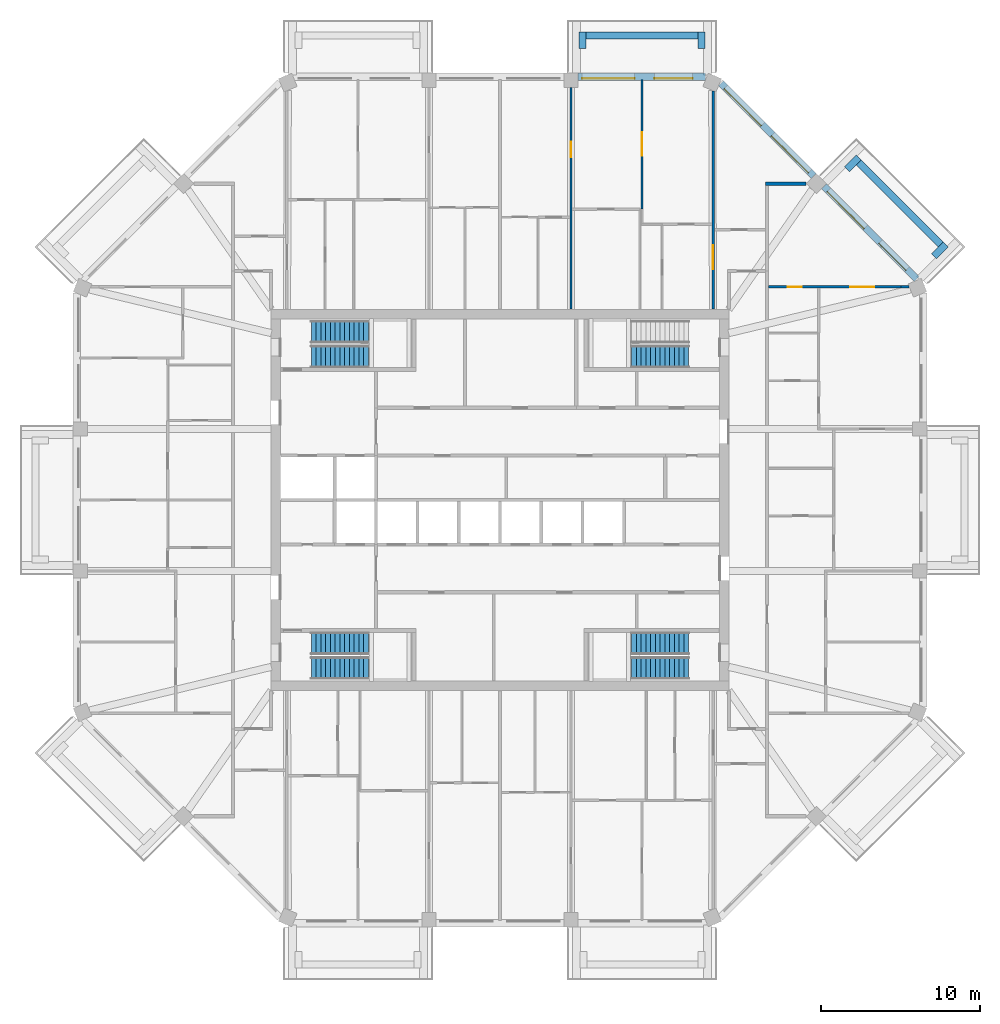
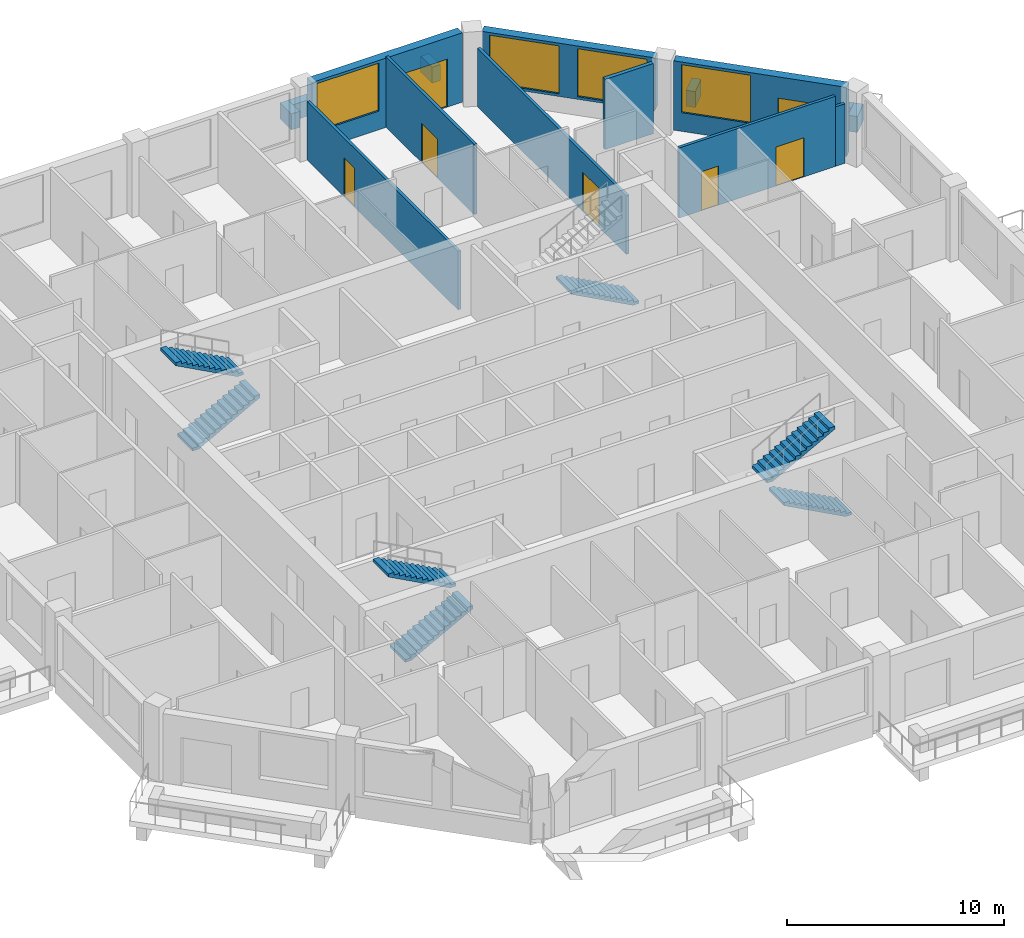
# One storey, part 10 of 13: 15 walls, 7 doors, 7 stair flights, 4 windows, 11 openings, 4 elements without a shape of their own.
"""IFC4 building model written with IfcOpenShell, lengths in metres."""

from ifc_helpers import new_model, si_unit, direction, frame, frame_2d, origin, place, context, subcontext, project, spatial, polyline, rectangle, outline, extrude, material, layer, layer_set, type_object, element, fill, aggregate, save


model = new_model("IFC4")

# Units and contexts
model_context = context("Model", 3, precision=1e-05, world=origin(), true_north=direction((0.0, 1.0)))
body_context = subcontext(model_context, "Body", "Model", "MODEL_VIEW")
ifc_project = project(units=[si_unit("LENGTHUNIT", "METRE"), si_unit("AREAUNIT", "SQUARE_METRE"), si_unit("VOLUMEUNIT", "CUBIC_METRE"), si_unit("PLANEANGLEUNIT", "RADIAN"), si_unit("MASSUNIT", "GRAM", prefix="KILO")], contexts=[model_context])

# Site, building, storey
site_placement = place(None, origin())
site = spatial("IfcSite", under=ifc_project, at=site_placement, CompositionType="ELEMENT")
building_placement = place(site_placement, origin())
building = spatial("IfcBuilding", under=site, at=building_placement, Name="Msitu Wima Residences", CompositionType="ELEMENT")
storey_placement = place(building_placement, frame((0.0, 0.0, 281.10009765625)))
storey = spatial("IfcBuildingStorey", under=building, at=storey_placement, Name="L65", CompositionType="ELEMENT", Elevation=281.10009765625)

# Walls
ifc_material_1 = material(Name="Facing brick")
ifc_layer_1 = layer(ifc_material_1, 0.06494140625, Name="Facing brick")
ifc_material_2 = material(Name="Concrete C40/50", Category="concrete")
ifc_layer_2 = layer(ifc_material_2, 0.156005859375, Name="Concrete C40/50")
ifc_material_3 = material(Name="Waterproofing membrane")
ifc_layer_3 = layer(ifc_material_3, 0.00390625, Name="Waterproofing membrane")
ifc_material_4 = material(Name="Planting soil and planting")
ifc_layer_4 = layer(ifc_material_4, 0.22509765625, Name="Planting soil and planting")
ifc_layer_set_1 = layer_set([ifc_layer_1, ifc_layer_2, ifc_layer_3, ifc_layer_4], Name="Concrete C40/50")
wall_type_1 = type_object("IfcWallType", Name="Balcony planter PLANTER PL450", PredefinedType="USERDEFINED", material=ifc_layer_set_1)
wall_1_placement = place(storey_placement, frame((27.725830078125, 16.0751953125, 0.0), z_axis=(0.0, 0.0, 1.0), x_axis=(-0.707106781187, 0.707106781187, 0.0)))
element("IfcWall", 1, at=wall_1_placement, inside=storey, type_object=wall_type_1, Name="Balcony planter NE0 L65", ObjectType="PLANTER", PredefinedType="USERDEFINED", context=body_context, shape_type="SweptSolid", body=[
    extrude(rectangle(XDim=7.288330078125, YDim=0.449951171875, at=frame_2d((3.64404296875, 0.0))), origin(), (0.0, 0.0, 1.0), 0.89990234375),
])
for number, where, z_axis, x_axis, name in (
    (2, (27.301513671875, 15.332763671875, 0.0), (0.0, 0.0, 1.0), (0.707106781187, 0.707106781187, 0.0), "Balcony planter NE0 L65"),
    (3, (21.829833984375, 20.804443359375, 0.0), (0.0, 0.0, 1.0), (0.707106781187, 0.707106781187, 0.0), "Balcony planter NE0 L65"),
):
    element("IfcWall", number, at=place(storey_placement, frame(where, z_axis=z_axis, x_axis=x_axis)), inside=storey, type_object=wall_type_1, Name=name, ObjectType="PLANTER", PredefinedType="USERDEFINED", context=body_context, shape_type="SweptSolid", body=[
        extrude(rectangle(XDim=1.050048828125, YDim=0.449951171875, at=frame_2d((0.52490234375, 0.0))), origin(), (0.0, 0.0, 1.0), 0.89990234375),
    ])
wall_2_placement = place(storey_placement, frame((12.455810546875, 29.22509765625, 0.0), z_axis=(0.0, 0.0, 1.0), x_axis=(-1.0, 0.0, 0.0)))
element("IfcWall", 4, at=wall_2_placement, inside=storey, type_object=wall_type_1, Name="Balcony planter N0 L65", ObjectType="PLANTER", PredefinedType="USERDEFINED", context=body_context, shape_type="SweptSolid", body=[
    extrude(rectangle(XDim=7.037109375, YDim=0.449951171875, at=frame_2d((3.5185546875, 0.0))), origin(), (0.0, 0.0, 1.0), 0.89990234375),
])
for number, where, z_axis, x_axis, name in (
    (5, (12.680908203125, 28.39990234375, 0.0), (0.0, 0.0, 1.0), (0.0, 1.0, 0.0), "Balcony planter N0 L65"),
    (6, (5.193603515625, 28.39990234375, 0.0), (0.0, 0.0, 1.0), (0.0, 1.0, 0.0), "Balcony planter N0 L65"),
):
    element("IfcWall", number, at=place(storey_placement, frame(where, z_axis=z_axis, x_axis=x_axis)), inside=storey, type_object=wall_type_1, Name=name, ObjectType="PLANTER", PredefinedType="USERDEFINED", context=body_context, shape_type="SweptSolid", body=[
        extrude(rectangle(XDim=1.050048828125, YDim=0.449951171875, at=frame_2d((0.52490234375, 0.0))), origin(), (0.0, 0.0, 1.0), 0.89990234375),
    ])

# Wall, openings, door, window
ifc_material_5 = material(Name="Brick (red buff mix)", Category="masonry")
ifc_layer_5 = layer(ifc_material_5, 0.449951171875)
ifc_layer_set_2 = layer_set([ifc_layer_5], Name="Brick (red buff mix)")
wall_type_2 = type_object("IfcWallType", Name="Brick infill wall BW450", PredefinedType="SOLIDWALL", material=ifc_layer_set_2)
wall_3_placement = place(storey_placement, frame((26.214599609375, 13.909423828125, 0.0), z_axis=(0.0, 0.0, 1.0), x_axis=(-0.707106781187, 0.707106781187, 0.0)))
wall_3 = element("IfcWall", 7, at=wall_3_placement, inside=storey, type_object=wall_type_2, Name="Brick infill wall L65 NE0", PredefinedType="SOLIDWALL", context=body_context, shape_type="SweptSolid", body=[
    extrude(rectangle(XDim=8.251220703125, YDim=0.449951171875, at=frame_2d((4.12548828125, 0.0))), origin(), (0.0, 0.0, 1.0), 3.89990234375),
])
opening_1_placement = place(wall_3_placement, frame((0.86279296875, 0.0, 0.0)))
opening_1 = element("IfcOpeningElement", 8, at=opening_1_placement, cuts=wall_3, Name="Opening D65-67.004", PredefinedType="OPENING", context=body_context, shape_type="SweptSolid", body=[
    extrude(rectangle(XDim=2.39990234375, YDim=2.699951171875, at=frame_2d((1.199951171875, 1.35009765625))), frame((0.0, 0.23486328125, 0.0), z_axis=(0.0, -1.0, 0.0), x_axis=(1.0, 0.0, 0.0)), (0.0, 0.0, 1.0), 0.469970703125),
])
opening_2_placement = place(wall_3_placement, frame((4.57568359375, 0.0, 1.050048828125)))
opening_2 = element("IfcOpeningElement", 9, at=opening_2_placement, cuts=wall_3, Name="Opening W65-67.010", PredefinedType="OPENING", context=body_context, shape_type="SweptSolid", body=[
    extrude(rectangle(XDim=3.300048828125, YDim=2.699951171875, at=frame_2d((1.64990234375, 1.35009765625))), frame((0.0, 0.23486328125, 0.0), z_axis=(0.0, -1.0, 0.0), x_axis=(1.0, 0.0, 0.0)), (0.0, 0.0, 1.0), 0.469970703125),
])
ifc_material_6 = material(Name="Anodised aluminium, bronze finish, clear low-emissivity double glazing", Category="aluminium")
door_type_1 = type_object("IfcDoorType", Name="Balcony door D2400x2700", OperationType="SLIDING_TO_LEFT", PredefinedType="DOOR", material=ifc_material_6)
door_1_placement = place(opening_1_placement, origin())
door_1 = element("IfcDoor", 10, at=door_1_placement, inside=storey, type_object=door_type_1, Name="Balcony door L65 NE0", OperationType="SINGLE_SWING_LEFT", OverallHeight=2.699951171875, OverallWidth=2.39990234375, PredefinedType="DOOR", context=body_context, shape_type="SweptSolid", body=[
    extrude(rectangle(XDim=2.39990234375, YDim=2.699951171875, at=frame_2d((1.199951171875, 1.35009765625))), frame((0.0, 0.1298828125, 0.0), z_axis=(0.0, -1.0, 0.0), x_axis=(1.0, 0.0, 0.0)), (0.0, 0.0, 1.0), 0.050048828125),
])
fill(opening_1, door_1)
window_type = type_object("IfcWindowType", Name="Window W3300x2700", PartitioningType="DOUBLE_PANEL_VERTICAL", PredefinedType="WINDOW", material=ifc_material_6)
window_1_placement = place(opening_2_placement, origin())
window_1 = element("IfcWindow", 11, at=window_1_placement, inside=storey, type_object=window_type, Name="Window L65 NE0.2", OverallHeight=2.699951171875, OverallWidth=3.300048828125, PartitioningType="SINGLE_PANEL", PredefinedType="WINDOW", context=body_context, shape_type="SweptSolid", body=[
    extrude(rectangle(XDim=3.300048828125, YDim=2.699951171875, at=frame_2d((1.64990234375, 1.35009765625))), frame((0.0, 0.135009765625, 0.0), z_axis=(0.0, -1.0, 0.0), x_axis=(1.0, 0.0, 0.0)), (0.0, 0.0, 1.0), 0.06005859375),
])
fill(opening_2, window_1)

# Wall, openings, windows
wall_4_placement = place(storey_placement, frame((19.743896484375, 20.380126953125, 0.89990234375), z_axis=(0.0, 0.0, 1.0), x_axis=(-0.707106781187, 0.707106781187, 0.0)))
wall_4 = element("IfcWall", 12, at=wall_4_placement, inside=storey, type_object=wall_type_2, Name="Brick infill wall L65 NE1", PredefinedType="SOLIDWALL", context=body_context, shape_type="SweptSolid", body=[
    extrude(rectangle(XDim=8.251220703125, YDim=0.449951171875, at=frame_2d((4.12548828125, 0.0))), origin(), (0.0, 0.0, 1.0), 3.0),
])
opening_3_placement = place(wall_4_placement, frame((0.37548828125, 0.0, 0.14990234375)))
opening_3 = element("IfcOpeningElement", 13, at=opening_3_placement, cuts=wall_4, Name="Opening W65-67.011", PredefinedType="OPENING", context=body_context, shape_type="SweptSolid", body=[
    extrude(rectangle(XDim=3.300048828125, YDim=2.699951171875, at=frame_2d((1.64990234375, 1.35009765625))), frame((0.0, 0.23486328125, 0.0), z_axis=(0.0, -1.0, 0.0), x_axis=(1.0, 0.0, 0.0)), (0.0, 0.0, 1.0), 0.469970703125),
])
opening_4_placement = place(wall_4_placement, frame((4.57568359375, 0.0, 0.14990234375)))
opening_4 = element("IfcOpeningElement", 14, at=opening_4_placement, cuts=wall_4, Name="Opening W65-67.012", PredefinedType="OPENING", context=body_context, shape_type="SweptSolid", body=[
    extrude(rectangle(XDim=3.300048828125, YDim=2.699951171875, at=frame_2d((1.64990234375, 1.35009765625))), frame((0.0, 0.23486328125, 0.0), z_axis=(0.0, -1.0, 0.0), x_axis=(1.0, 0.0, 0.0)), (0.0, 0.0, 1.0), 0.469970703125),
])
window_2_placement = place(opening_3_placement, origin())
window_2 = element("IfcWindow", 15, at=window_2_placement, inside=storey, type_object=window_type, Name="Window L65 NE1.1", OverallHeight=2.699951171875, OverallWidth=3.300048828125, PartitioningType="SINGLE_PANEL", PredefinedType="WINDOW", context=body_context, shape_type="SweptSolid", body=[
    extrude(rectangle(XDim=3.300048828125, YDim=2.699951171875, at=frame_2d((1.64990234375, 1.35009765625))), frame((0.0, 0.135009765625, 0.0), z_axis=(0.0, -1.0, 0.0), x_axis=(1.0, 0.0, 0.0)), (0.0, 0.0, 1.0), 0.06005859375),
])
fill(opening_3, window_2)
window_3_placement = place(opening_4_placement, origin())
window_3 = element("IfcWindow", 16, at=window_3_placement, inside=storey, type_object=window_type, Name="Window L65 NE1.2", OverallHeight=2.699951171875, OverallWidth=3.300048828125, PartitioningType="SINGLE_PANEL", PredefinedType="WINDOW", context=body_context, shape_type="SweptSolid", body=[
    extrude(rectangle(XDim=3.300048828125, YDim=2.699951171875, at=frame_2d((1.64990234375, 1.35009765625))), frame((0.0, 0.135009765625, 0.0), z_axis=(0.0, -1.0, 0.0), x_axis=(1.0, 0.0, 0.0)), (0.0, 0.0, 1.0), 0.06005859375),
])
fill(opening_4, window_3)

# Wall, openings, door, window
wall_5_placement = place(storey_placement, frame((12.918701171875, 26.625, 0.0), z_axis=(0.0, 0.0, 1.0), x_axis=(-1.0, 0.0, 0.0)))
wall_5 = element("IfcWall", 17, at=wall_5_placement, inside=storey, type_object=wall_type_2, Name="Brick infill wall L65 N0", PredefinedType="SOLIDWALL", context=body_context, shape_type="SweptSolid", body=[
    extrude(rectangle(XDim=8.0, YDim=0.449951171875, at=frame_2d((4.0, 0.0))), origin(), (0.0, 0.0, 1.0), 3.89990234375),
])
opening_5_placement = place(wall_5_placement, frame((0.800048828125, 0.0, 0.0)))
opening_5 = element("IfcOpeningElement", 18, at=opening_5_placement, cuts=wall_5, Name="Opening D65-67.002", PredefinedType="OPENING", context=body_context, shape_type="SweptSolid", body=[
    extrude(rectangle(XDim=2.39990234375, YDim=2.699951171875, at=frame_2d((1.199951171875, 1.35009765625))), frame((0.0, 0.23486328125, 0.0), z_axis=(0.0, -1.0, 0.0), x_axis=(1.0, 0.0, 0.0)), (0.0, 0.0, 1.0), 0.469970703125),
])
opening_6_placement = place(wall_5_placement, frame((4.4501953125, 0.0, 1.050048828125)))
opening_6 = element("IfcOpeningElement", 19, at=opening_6_placement, cuts=wall_5, Name="Opening W65-67.006", PredefinedType="OPENING", context=body_context, shape_type="SweptSolid", body=[
    extrude(rectangle(XDim=3.300048828125, YDim=2.699951171875, at=frame_2d((1.64990234375, 1.35009765625))), frame((0.0, 0.23486328125, 0.0), z_axis=(0.0, -1.0, 0.0), x_axis=(1.0, 0.0, 0.0)), (0.0, 0.0, 1.0), 0.469970703125),
])
door_2_placement = place(opening_5_placement, origin())
door_2 = element("IfcDoor", 20, at=door_2_placement, inside=storey, type_object=door_type_1, Name="Balcony door L65 N0", OperationType="SINGLE_SWING_LEFT", OverallHeight=2.699951171875, OverallWidth=2.39990234375, PredefinedType="DOOR", context=body_context, shape_type="SweptSolid", body=[
    extrude(rectangle(XDim=2.39990234375, YDim=2.699951171875, at=frame_2d((1.199951171875, 1.35009765625))), frame((0.0, 0.1298828125, 0.0), z_axis=(0.0, -1.0, 0.0), x_axis=(1.0, 0.0, 0.0)), (0.0, 0.0, 1.0), 0.050048828125),
])
fill(opening_5, door_2)
window_4_placement = place(opening_6_placement, origin())
window_4 = element("IfcWindow", 21, at=window_4_placement, inside=storey, type_object=window_type, Name="Window L65 N0.2", OverallHeight=2.699951171875, OverallWidth=3.300048828125, PartitioningType="SINGLE_PANEL", PredefinedType="WINDOW", context=body_context, shape_type="SweptSolid", body=[
    extrude(rectangle(XDim=3.300048828125, YDim=2.699951171875, at=frame_2d((1.64990234375, 1.35009765625))), frame((0.0, 0.135009765625, 0.0), z_axis=(0.0, -1.0, 0.0), x_axis=(1.0, 0.0, 0.0)), (0.0, 0.0, 1.0), 0.06005859375),
])
fill(opening_6, window_4)

# Wall, opening, door
ifc_material_7 = material(Name="Plaster")
ifc_layer_6 = layer(ifc_material_7, 0.011962890625, Name="Plaster")
ifc_material_8 = material(Name="Concrete blockwork", Category="masonry")
ifc_layer_7 = layer(ifc_material_8, 0.1259765625, Name="Concrete blockwork")
ifc_layer_8 = layer(ifc_material_7, 0.011962890625, Name="Plaster")
ifc_layer_set_3 = layer_set([ifc_layer_6, ifc_layer_7, ifc_layer_8], Name="Concrete blockwork")
wall_type_3 = type_object("IfcWallType", Name="Partition PW150", PredefinedType="PARTITIONING", material=ifc_layer_set_3)
wall_6_placement = place(storey_placement, frame((4.46875, 12.030029296875, 0.0), z_axis=(0.0, 0.0, 1.0), x_axis=(0.0, 1.0, 0.0)))
wall_6 = element("IfcWall", 22, at=wall_6_placement, inside=storey, type_object=wall_type_3, Name="Partition", PredefinedType="PARTITIONING", context=body_context, shape_type="SweptSolid", body=[
    extrude(rectangle(XDim=13.919921875, YDim=0.14990234375, at=frame_2d((6.9599609375, 0.0))), origin(), (0.0, 0.0, 1.0), 3.2998046875),
])
opening_7_placement = place(wall_6_placement, frame((9.550048828125, 0.0, 0.0)))
opening_7 = element("IfcOpeningElement", 23, at=opening_7_placement, cuts=wall_6, Name="Opening D65-67.029", PredefinedType="OPENING", context=body_context, shape_type="SweptSolid", body=[
    extrude(rectangle(XDim=0.949951171875, YDim=2.199951171875, at=frame_2d((0.47509765625, 1.10009765625))), frame((0.0, 0.0849609375, 0.0), z_axis=(0.0, -1.0, 0.0), x_axis=(1.0, 0.0, 0.0)), (0.0, 0.0, 1.0), 0.169921875),
])
ifc_material_9 = material(Name="Timber flush door", Category="wood")
door_type_2 = type_object("IfcDoorType", Name="Room door D12 950x2200", OperationType="SINGLE_SWING_LEFT", PredefinedType="DOOR", material=ifc_material_9)
door_3_placement = place(opening_7_placement, origin())
door_3 = element("IfcDoor", 24, at=door_3_placement, inside=storey, type_object=door_type_2, Name="Room door", OperationType="SINGLE_SWING_RIGHT", OverallHeight=2.199951171875, OverallWidth=0.949951171875, PredefinedType="DOOR", context=body_context, shape_type="SweptSolid", body=[
    extrude(rectangle(XDim=0.949951171875, YDim=2.199951171875, at=frame_2d((0.47509765625, 1.10009765625))), frame((0.0, 0.02490234375, 0.0), z_axis=(0.0, -1.0, 0.0), x_axis=(1.0, 0.0, 0.0)), (0.0, 0.0, 1.0), 0.050048828125),
])
fill(opening_7, door_3)

wall_7_placement = place(storey_placement, frame((8.937255859375, 18.300048828125, 0.0), z_axis=(0.0, 0.0, 1.0), x_axis=(0.0, 1.0, 0.0)))
wall_7 = element("IfcWall", 25, at=wall_7_placement, inside=storey, type_object=wall_type_3, Name="Partition", PredefinedType="PARTITIONING", context=body_context, shape_type="SweptSolid", body=[
    extrude(rectangle(XDim=8.155029296875, YDim=0.14990234375, at=frame_2d((4.07763671875, 0.0))), origin(), (0.0, 0.0, 1.0), 3.949951171875),
])
opening_8_placement = place(wall_7_placement, frame((3.35009765625, 0.0, 0.0)))
opening_8 = element("IfcOpeningElement", 26, at=opening_8_placement, cuts=wall_7, Name="Opening D65-67.027", PredefinedType="OPENING", context=body_context, shape_type="SweptSolid", body=[
    extrude(rectangle(XDim=1.5, YDim=2.199951171875, at=frame_2d((0.75, 1.10009765625))), frame((0.0, 0.0849609375, 0.0), z_axis=(0.0, -1.0, 0.0), x_axis=(1.0, 0.0, 0.0)), (0.0, 0.0, 1.0), 0.169921875),
])
ifc_material_10 = material(Name="Timber double door", Category="wood")
door_type_3 = type_object("IfcDoorType", Name="Double door D04 1500x2200", OperationType="DOUBLE_DOOR_SINGLE_SWING", PredefinedType="DOOR", material=ifc_material_10)
door_4_placement = place(opening_8_placement, origin())
door_4 = element("IfcDoor", 27, at=door_4_placement, inside=storey, type_object=door_type_3, Name="Double door", OperationType="DOUBLE_DOOR_SINGLE_SWING", OverallHeight=2.199951171875, OverallWidth=1.5, PredefinedType="DOOR", context=body_context, shape_type="SweptSolid", body=[
    extrude(rectangle(XDim=1.5, YDim=2.199951171875, at=frame_2d((0.75, 1.10009765625))), frame((0.0, 0.02490234375, 0.0), z_axis=(0.0, -1.0, 0.0), x_axis=(1.0, 0.0, 0.0)), (0.0, 0.0, 1.0), 0.050048828125),
])
fill(opening_8, door_4)

wall_8_placement = place(storey_placement, frame((13.406005859375, 12.030029296875, 0.0), z_axis=(0.0, 0.0, 1.0), x_axis=(0.0, 1.0, 0.0)))
wall_8 = element("IfcWall", 28, at=wall_8_placement, inside=storey, type_object=wall_type_3, Name="Partition", PredefinedType="PARTITIONING", context=body_context, shape_type="SweptSolid", body=[
    extrude(rectangle(XDim=13.701171875, YDim=0.14990234375, at=frame_2d((6.8505859375, 0.0))), origin(), (0.0, 0.0, 1.0), 3.2998046875),
])
opening_9_placement = place(wall_8_placement, frame((2.5, 0.0, 0.0)))
opening_9 = element("IfcOpeningElement", 29, at=opening_9_placement, cuts=wall_8, Name="Opening D65-67.023", PredefinedType="OPENING", context=body_context, shape_type="SweptSolid", body=[
    extrude(rectangle(XDim=1.5, YDim=2.199951171875, at=frame_2d((0.75, 1.10009765625))), frame((0.0, 0.0849609375, 0.0), z_axis=(0.0, -1.0, 0.0), x_axis=(1.0, 0.0, 0.0)), (0.0, 0.0, 1.0), 0.169921875),
])
door_5_placement = place(opening_9_placement, origin())
door_5 = element("IfcDoor", 30, at=door_5_placement, inside=storey, type_object=door_type_3, Name="Double door", OperationType="DOUBLE_DOOR_SINGLE_SWING", OverallHeight=2.199951171875, OverallWidth=1.5, PredefinedType="DOOR", context=body_context, shape_type="SweptSolid", body=[
    extrude(rectangle(XDim=1.5, YDim=2.199951171875, at=frame_2d((0.75, 1.10009765625))), frame((0.0, 0.02490234375, 0.0), z_axis=(0.0, -1.0, 0.0), x_axis=(1.0, 0.0, 0.0)), (0.0, 0.0, 1.0), 0.050048828125),
])
fill(opening_9, door_5)

# Wall, openings, doors
wall_9_placement = place(storey_placement, frame((16.89990234375, 13.406005859375, 0.0), z_axis=(0.0, 0.0, 1.0), x_axis=(1.0, 0.0, 0.0)))
wall_9 = element("IfcWall", 31, at=wall_9_placement, inside=storey, type_object=wall_type_3, Name="Partition", PredefinedType="PARTITIONING", context=body_context, shape_type="SweptSolid", body=[
    extrude(rectangle(XDim=8.32421875, YDim=0.14990234375, at=frame_2d((4.162109375, 0.0))), origin(), (0.0, 0.0, 1.0), 3.949951171875),
])
opening_10_placement = place(wall_9_placement, frame((5.14990234375, 0.0, 0.0)))
opening_10 = element("IfcOpeningElement", 32, at=opening_10_placement, cuts=wall_9, Name="Opening D65-67.019", PredefinedType="OPENING", context=body_context, shape_type="SweptSolid", body=[
    extrude(rectangle(XDim=1.5, YDim=2.199951171875, at=frame_2d((0.75, 1.10009765625))), frame((0.0, 0.0849609375, 0.0), z_axis=(0.0, -1.0, 0.0), x_axis=(1.0, 0.0, 0.0)), (0.0, 0.0, 1.0), 0.169921875),
])
opening_11_placement = place(wall_9_placement, frame((1.199951171875, 0.0, 0.0)))
opening_11 = element("IfcOpeningElement", 33, at=opening_11_placement, cuts=wall_9, Name="Opening D65-67.013", PredefinedType="OPENING", context=body_context, shape_type="SweptSolid", body=[
    extrude(rectangle(XDim=0.89990234375, YDim=2.199951171875, at=frame_2d((0.449951171875, 1.10009765625))), frame((0.0, 0.0849609375, 0.0), z_axis=(0.0, -1.0, 0.0), x_axis=(1.0, 0.0, 0.0)), (0.0, 0.0, 1.0), 0.169921875),
])
door_6_placement = place(opening_10_placement, origin())
door_6 = element("IfcDoor", 34, at=door_6_placement, inside=storey, type_object=door_type_3, Name="Double door", OperationType="DOUBLE_DOOR_SINGLE_SWING", OverallHeight=2.199951171875, OverallWidth=1.5, PredefinedType="DOOR", context=body_context, shape_type="SweptSolid", body=[
    extrude(rectangle(XDim=1.5, YDim=2.199951171875, at=frame_2d((0.75, 1.10009765625))), frame((0.0, 0.02490234375, 0.0), z_axis=(0.0, -1.0, 0.0), x_axis=(1.0, 0.0, 0.0)), (0.0, 0.0, 1.0), 0.050048828125),
])
fill(opening_10, door_6)
door_type_4 = type_object("IfcDoorType", Name="Service door D05 900x2200", OperationType="SINGLE_SWING_LEFT", PredefinedType="DOOR", material=ifc_material_9)
door_7_placement = place(opening_11_placement, origin())
door_7 = element("IfcDoor", 35, at=door_7_placement, inside=storey, type_object=door_type_4, Name="Service door", OperationType="SINGLE_SWING_LEFT", OverallHeight=2.199951171875, OverallWidth=0.89990234375, PredefinedType="DOOR", context=body_context, shape_type="SweptSolid", body=[
    extrude(rectangle(XDim=0.89990234375, YDim=2.199951171875, at=frame_2d((0.449951171875, 1.10009765625))), frame((0.0, 0.02490234375, 0.0), z_axis=(0.0, -1.0, 0.0), x_axis=(1.0, 0.0, 0.0)), (0.0, 0.0, 1.0), 0.050048828125),
])
fill(opening_11, door_7)

# Walls
wall_10_placement = place(storey_placement, frame((25.22412109375, 13.406005859375, 0.0), z_axis=(0.0, 0.0, 1.0), x_axis=(1.0, 0.0, 0.0)))
element("IfcWall", 36, at=wall_10_placement, inside=storey, type_object=wall_type_3, Name="Partition", PredefinedType="PARTITIONING", context=body_context, shape_type="SweptSolid", body=[
    extrude(rectangle(XDim=0.507080078125, YDim=0.14990234375, at=frame_2d((0.25341796875, 0.0))), origin(), (0.0, 0.0, 1.0), 3.349853515625),
])
ifc_layer_9 = layer(ifc_material_7, 0.011962890625, Name="Plaster")
ifc_material_11 = material(Name="Dense concrete blockwork", Category="masonry")
ifc_layer_10 = layer(ifc_material_11, 0.176025390625, Name="Dense concrete blockwork")
ifc_layer_11 = layer(ifc_material_7, 0.011962890625, Name="Plaster")
ifc_layer_set_4 = layer_set([ifc_layer_9, ifc_layer_10, ifc_layer_11], Name="Dense concrete blockwork")
wall_type_4 = type_object("IfcWallType", Name="Party wall PW200", PredefinedType="PARTITIONING", material=ifc_layer_set_4)
wall_11_placement = place(storey_placement, frame((16.699951171875, 19.90283203125, 0.0), z_axis=(0.0, 0.0, 1.0), x_axis=(1.0, 0.0, 0.0)))
element("IfcWall", 37, at=wall_11_placement, inside=storey, type_object=wall_type_4, Name="Party wall", PredefinedType="PARTITIONING", context=body_context, shape_type="SweptSolid", body=[
    extrude(rectangle(XDim=2.566650390625, YDim=0.199951171875, at=frame_2d((1.283203125, 0.0))), origin(), (0.0, 0.0, 1.0), 3.949951171875),
])

# Stair, stair flights
stair_type = type_object("IfcStairType", Name="Exit stair ES1615-140", PredefinedType="HALF_TURN_STAIR", material=ifc_material_2)
stair_1_placement = place(storey_placement, origin())
stair_1 = element("IfcStair", 38, at=stair_1_placement, inside=storey, type_object=stair_type, Name="Exit stair 1", PredefinedType="HALF_TURN_STAIR")
stair_flight_type = type_object("IfcStairFlightType", Name="Exit stair flight ES1615-140", PredefinedType="STRAIGHT", material=ifc_material_2)
stair_flight_1_placement = place(storey_placement, frame((-11.875, 9.02490234375, 0.0), z_axis=(0.0, 0.0, 1.0), x_axis=(1.0, 0.0, 0.0)))
stair_flight_1 = element("IfcStairFlight", 39, at=stair_flight_1_placement, type_object=stair_flight_type, Name="S1 flight 1", NumberOfRisers=13, NumberOfTreads=12, PredefinedType="STRAIGHT", RiserHeight=0.161538462, TreadLength=0.3, context=body_context, shape_type="SweptSolid", body=[
    extrude(outline(polyline([(0.0, 0.0), (0.0, 0.16162109375), (0.300048828125, 0.16162109375), (0.300048828125, 0.322998046875), (0.60009765625, 0.322998046875), (0.60009765625, 0.484619140625), (0.89990234375, 0.484619140625), (0.89990234375, 0.646240234375), (1.199951171875, 0.646240234375), (1.199951171875, 0.8076171875), (1.5, 0.8076171875), (1.5, 0.96923828125), (1.800048828125, 0.96923828125), (1.800048828125, 1.130859375), (2.10009765625, 1.130859375), (2.10009765625, 1.292236328125), (2.39990234375, 1.292236328125), (2.39990234375, 1.453857421875), (2.699951171875, 1.453857421875), (2.699951171875, 1.615478515625), (3.0, 1.615478515625), (3.0, 1.77685546875), (3.300048828125, 1.77685546875), (3.300048828125, 1.9384765625), (3.60009765625, 1.9384765625), (3.60009765625, 2.10009765625), (3.60009765625, 1.768310546875), (0.316162109375, 0.0), (0.0, 0.0)])), frame((0.0, 0.699951171875, 0.0), z_axis=(0.0, -1.0, 0.0), x_axis=(1.0, 0.0, 0.0)), (0.0, 0.0, 1.0), 1.39990234375),
])
stair_flight_2_placement = place(storey_placement, frame((-8.27490234375, 10.574951171875, 2.099853515625), z_axis=(0.0, 0.0, 1.0), x_axis=(-1.0, 0.0, 0.0)))
stair_flight_2 = element("IfcStairFlight", 40, at=stair_flight_2_placement, type_object=stair_flight_type, Name="S1 flight 2", NumberOfRisers=13, NumberOfTreads=12, PredefinedType="STRAIGHT", RiserHeight=0.161538462, TreadLength=0.3, context=body_context, shape_type="SweptSolid", body=[
    extrude(outline(polyline([(0.0, 0.0), (0.0, 0.16162109375), (0.300048828125, 0.16162109375), (0.300048828125, 0.322998046875), (0.60009765625, 0.322998046875), (0.60009765625, 0.484619140625), (0.89990234375, 0.484619140625), (0.89990234375, 0.646240234375), (1.199951171875, 0.646240234375), (1.199951171875, 0.8076171875), (1.5, 0.8076171875), (1.5, 0.96923828125), (1.800048828125, 0.96923828125), (1.800048828125, 1.130859375), (2.10009765625, 1.130859375), (2.10009765625, 1.292236328125), (2.39990234375, 1.292236328125), (2.39990234375, 1.453857421875), (2.699951171875, 1.453857421875), (2.699951171875, 1.615478515625), (3.0, 1.615478515625), (3.0, 1.77685546875), (3.300048828125, 1.77685546875), (3.300048828125, 1.9384765625), (3.60009765625, 1.9384765625), (3.60009765625, 2.10009765625), (3.60009765625, 1.768310546875), (0.316162109375, 0.0), (0.0, 0.0)])), frame((0.0, 0.699951171875, 0.0), z_axis=(0.0, -1.0, 0.0), x_axis=(1.0, 0.0, 0.0)), (0.0, 0.0, 1.0), 1.39990234375),
])
aggregate(stair_1, [stair_flight_1, stair_flight_2])

stair_2_placement = place(storey_placement, origin())
stair_2 = element("IfcStair", 41, at=stair_2_placement, inside=storey, type_object=stair_type, Name="Exit stair 2", PredefinedType="HALF_TURN_STAIR")
stair_flight_3_placement = place(storey_placement, frame((-11.875, -10.574951171875, 0.0), z_axis=(0.0, 0.0, 1.0), x_axis=(1.0, 0.0, 0.0)))
stair_flight_3 = element("IfcStairFlight", 42, at=stair_flight_3_placement, type_object=stair_flight_type, Name="S2 flight 1", NumberOfRisers=13, NumberOfTreads=12, PredefinedType="STRAIGHT", RiserHeight=0.161538462, TreadLength=0.3, context=body_context, shape_type="SweptSolid", body=[
    extrude(outline(polyline([(0.0, 0.0), (0.0, 0.16162109375), (0.300048828125, 0.16162109375), (0.300048828125, 0.322998046875), (0.60009765625, 0.322998046875), (0.60009765625, 0.484619140625), (0.89990234375, 0.484619140625), (0.89990234375, 0.646240234375), (1.199951171875, 0.646240234375), (1.199951171875, 0.8076171875), (1.5, 0.8076171875), (1.5, 0.96923828125), (1.800048828125, 0.96923828125), (1.800048828125, 1.130859375), (2.10009765625, 1.130859375), (2.10009765625, 1.292236328125), (2.39990234375, 1.292236328125), (2.39990234375, 1.453857421875), (2.699951171875, 1.453857421875), (2.699951171875, 1.615478515625), (3.0, 1.615478515625), (3.0, 1.77685546875), (3.300048828125, 1.77685546875), (3.300048828125, 1.9384765625), (3.60009765625, 1.9384765625), (3.60009765625, 2.10009765625), (3.60009765625, 1.768310546875), (0.316162109375, 0.0), (0.0, 0.0)])), frame((0.0, 0.699951171875, 0.0), z_axis=(0.0, -1.0, 0.0), x_axis=(1.0, 0.0, 0.0)), (0.0, 0.0, 1.0), 1.39990234375),
])
stair_flight_4_placement = place(storey_placement, frame((-8.27490234375, -9.02490234375, 2.099853515625), z_axis=(0.0, 0.0, 1.0), x_axis=(-1.0, 0.0, 0.0)))
stair_flight_4 = element("IfcStairFlight", 43, at=stair_flight_4_placement, type_object=stair_flight_type, Name="S2 flight 2", NumberOfRisers=13, NumberOfTreads=12, PredefinedType="STRAIGHT", RiserHeight=0.161538462, TreadLength=0.3, context=body_context, shape_type="SweptSolid", body=[
    extrude(outline(polyline([(0.0, 0.0), (0.0, 0.16162109375), (0.300048828125, 0.16162109375), (0.300048828125, 0.322998046875), (0.60009765625, 0.322998046875), (0.60009765625, 0.484619140625), (0.89990234375, 0.484619140625), (0.89990234375, 0.646240234375), (1.199951171875, 0.646240234375), (1.199951171875, 0.8076171875), (1.5, 0.8076171875), (1.5, 0.96923828125), (1.800048828125, 0.96923828125), (1.800048828125, 1.130859375), (2.10009765625, 1.130859375), (2.10009765625, 1.292236328125), (2.39990234375, 1.292236328125), (2.39990234375, 1.453857421875), (2.699951171875, 1.453857421875), (2.699951171875, 1.615478515625), (3.0, 1.615478515625), (3.0, 1.77685546875), (3.300048828125, 1.77685546875), (3.300048828125, 1.9384765625), (3.60009765625, 1.9384765625), (3.60009765625, 2.10009765625), (3.60009765625, 1.768310546875), (0.316162109375, 0.0), (0.0, 0.0)])), frame((0.0, 0.699951171875, 0.0), z_axis=(0.0, -1.0, 0.0), x_axis=(1.0, 0.0, 0.0)), (0.0, 0.0, 1.0), 1.39990234375),
])
aggregate(stair_2, [stair_flight_3, stair_flight_4])

# Stair, stair flight
stair_3_placement = place(storey_placement, origin())
stair_3 = element("IfcStair", 44, at=stair_3_placement, inside=storey, type_object=stair_type, Name="Exit stair 3", PredefinedType="HALF_TURN_STAIR")
stair_flight_5_placement = place(storey_placement, frame((11.875, 9.02490234375, 0.0), z_axis=(0.0, 0.0, 1.0), x_axis=(-1.0, 0.0, 0.0)))
stair_flight_5 = element("IfcStairFlight", 45, at=stair_flight_5_placement, type_object=stair_flight_type, Name="S3 flight 1", NumberOfRisers=13, NumberOfTreads=12, PredefinedType="STRAIGHT", RiserHeight=0.161538462, TreadLength=0.3, context=body_context, shape_type="SweptSolid", body=[
    extrude(outline(polyline([(0.0, 0.0), (0.0, 0.16162109375), (0.300048828125, 0.16162109375), (0.300048828125, 0.322998046875), (0.60009765625, 0.322998046875), (0.60009765625, 0.484619140625), (0.89990234375, 0.484619140625), (0.89990234375, 0.646240234375), (1.199951171875, 0.646240234375), (1.199951171875, 0.8076171875), (1.5, 0.8076171875), (1.5, 0.96923828125), (1.800048828125, 0.96923828125), (1.800048828125, 1.130859375), (2.10009765625, 1.130859375), (2.10009765625, 1.292236328125), (2.39990234375, 1.292236328125), (2.39990234375, 1.453857421875), (2.699951171875, 1.453857421875), (2.699951171875, 1.615478515625), (3.0, 1.615478515625), (3.0, 1.77685546875), (3.300048828125, 1.77685546875), (3.300048828125, 1.9384765625), (3.60009765625, 1.9384765625), (3.60009765625, 2.10009765625), (3.60009765625, 1.768310546875), (0.316162109375, 0.0), (0.0, 0.0)])), frame((0.0, 0.699951171875, 0.0), z_axis=(0.0, -1.0, 0.0), x_axis=(1.0, 0.0, 0.0)), (0.0, 0.0, 1.0), 1.39990234375),
])
aggregate(stair_3, [stair_flight_5])

# Stair, stair flights
stair_4_placement = place(storey_placement, origin())
stair_4 = element("IfcStair", 46, at=stair_4_placement, inside=storey, type_object=stair_type, Name="Exit stair 4", PredefinedType="HALF_TURN_STAIR")
stair_flight_6_placement = place(storey_placement, frame((11.875, -10.574951171875, 0.0), z_axis=(0.0, 0.0, 1.0), x_axis=(-1.0, 0.0, 0.0)))
stair_flight_6 = element("IfcStairFlight", 47, at=stair_flight_6_placement, type_object=stair_flight_type, Name="S4 flight 1", NumberOfRisers=13, NumberOfTreads=12, PredefinedType="STRAIGHT", RiserHeight=0.161538462, TreadLength=0.3, context=body_context, shape_type="SweptSolid", body=[
    extrude(outline(polyline([(0.0, 0.0), (0.0, 0.16162109375), (0.300048828125, 0.16162109375), (0.300048828125, 0.322998046875), (0.60009765625, 0.322998046875), (0.60009765625, 0.484619140625), (0.89990234375, 0.484619140625), (0.89990234375, 0.646240234375), (1.199951171875, 0.646240234375), (1.199951171875, 0.8076171875), (1.5, 0.8076171875), (1.5, 0.96923828125), (1.800048828125, 0.96923828125), (1.800048828125, 1.130859375), (2.10009765625, 1.130859375), (2.10009765625, 1.292236328125), (2.39990234375, 1.292236328125), (2.39990234375, 1.453857421875), (2.699951171875, 1.453857421875), (2.699951171875, 1.615478515625), (3.0, 1.615478515625), (3.0, 1.77685546875), (3.300048828125, 1.77685546875), (3.300048828125, 1.9384765625), (3.60009765625, 1.9384765625), (3.60009765625, 2.10009765625), (3.60009765625, 1.768310546875), (0.316162109375, 0.0), (0.0, 0.0)])), frame((0.0, 0.699951171875, 0.0), z_axis=(0.0, -1.0, 0.0), x_axis=(1.0, 0.0, 0.0)), (0.0, 0.0, 1.0), 1.39990234375),
])
stair_flight_7_placement = place(storey_placement, frame((8.27490234375, -9.02490234375, 2.099853515625), z_axis=(0.0, 0.0, 1.0), x_axis=(1.0, 0.0, 0.0)))
stair_flight_7 = element("IfcStairFlight", 48, at=stair_flight_7_placement, type_object=stair_flight_type, Name="S4 flight 2", NumberOfRisers=13, NumberOfTreads=12, PredefinedType="STRAIGHT", RiserHeight=0.161538462, TreadLength=0.3, context=body_context, shape_type="SweptSolid", body=[
    extrude(outline(polyline([(0.0, 0.0), (0.0, 0.16162109375), (0.300048828125, 0.16162109375), (0.300048828125, 0.322998046875), (0.60009765625, 0.322998046875), (0.60009765625, 0.484619140625), (0.89990234375, 0.484619140625), (0.89990234375, 0.646240234375), (1.199951171875, 0.646240234375), (1.199951171875, 0.8076171875), (1.5, 0.8076171875), (1.5, 0.96923828125), (1.800048828125, 0.96923828125), (1.800048828125, 1.130859375), (2.10009765625, 1.130859375), (2.10009765625, 1.292236328125), (2.39990234375, 1.292236328125), (2.39990234375, 1.453857421875), (2.699951171875, 1.453857421875), (2.699951171875, 1.615478515625), (3.0, 1.615478515625), (3.0, 1.77685546875), (3.300048828125, 1.77685546875), (3.300048828125, 1.9384765625), (3.60009765625, 1.9384765625), (3.60009765625, 2.10009765625), (3.60009765625, 1.768310546875), (0.316162109375, 0.0), (0.0, 0.0)])), frame((0.0, 0.699951171875, 0.0), z_axis=(0.0, -1.0, 0.0), x_axis=(1.0, 0.0, 0.0)), (0.0, 0.0, 1.0), 1.39990234375),
])
aggregate(stair_4, [stair_flight_6, stair_flight_7])

save(model, "model.ifc")
